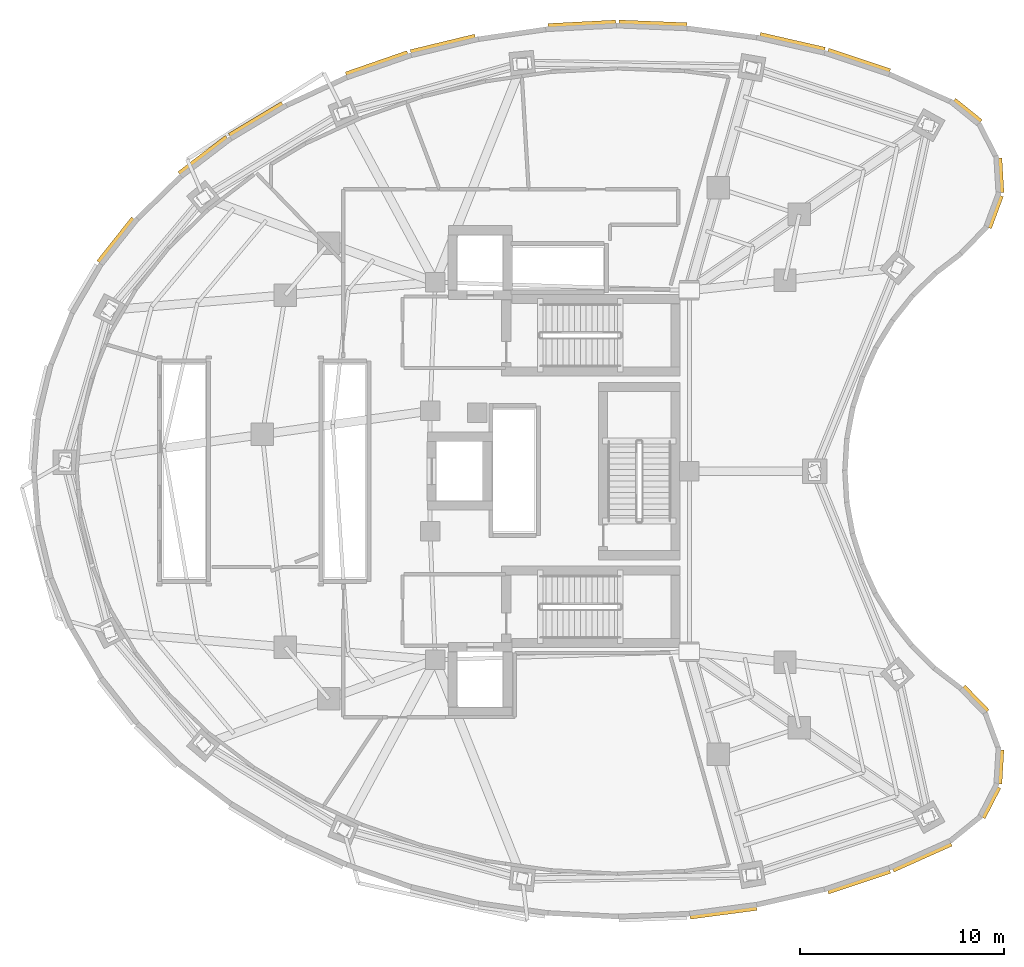
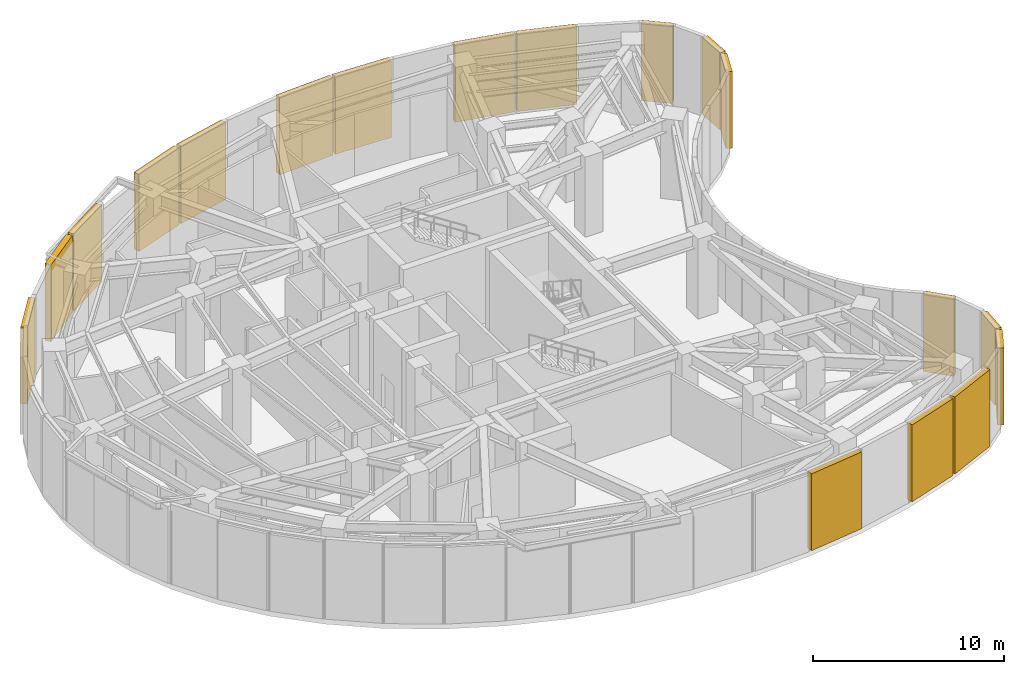
# One storey, part 10 of 10: 18 shading devices.
"""IFC4 building model written with IfcOpenShell, lengths in metres."""

from ifc_helpers import new_model, si_unit, direction, frame, origin, origin_2d, place, context, subcontext, project, spatial, rectangle, extrude, material, layer, layer_set, type_object, element, save


model = new_model("IFC4")

# Units and contexts
model_context = context("Model", 3, precision=1e-05, world=origin(), true_north=direction((0.0, 1.0)))
body_context = subcontext(model_context, "Body", "Model", "MODEL_VIEW")
ifc_project = project(units=[si_unit("LENGTHUNIT", "METRE"), si_unit("AREAUNIT", "SQUARE_METRE"), si_unit("VOLUMEUNIT", "CUBIC_METRE"), si_unit("PLANEANGLEUNIT", "RADIAN"), si_unit("MASSUNIT", "GRAM", prefix="KILO")], contexts=[model_context])

# Site, building, storey
site_placement = place(None, origin())
site = spatial("IfcSite", under=ifc_project, at=site_placement, CompositionType="ELEMENT")
building_placement = place(site_placement, origin())
building = spatial("IfcBuilding", under=site, at=building_placement, Name="Korentha Bioscience Tower", CompositionType="ELEMENT")
storey_placement = place(building_placement, frame((0.0, 0.0, 84.60009765625)))
storey = spatial("IfcBuildingStorey", under=building, at=storey_placement, Name="L19", CompositionType="ELEMENT", Elevation=84.60009765625)

# Shading devices
ifc_material = material(Name="Powder-Coated Aluminium Louvre", Category="aluminium")
ifc_layer = layer(ifc_material, 0.1201171875, Name="Powder-Coated Aluminium Louvre")
ifc_layer_set = layer_set([ifc_layer], Name="Powder-Coated Aluminium Louvre (LV-350)")
shading_device_type = type_object("IfcShadingDeviceType", Name="Acoustic Weatherproof Aluminium Plant Louvre 350", PredefinedType="USERDEFINED", material=ifc_layer_set)
shading_device_1_placement = place(storey_placement, frame((45.8408203125, 47.046875, 0.099853515625), z_axis=(0.0, 0.0, 1.0), x_axis=(-0.948951123232, 0.315423153426, 0.0)))
element("IfcShadingDevice", 1, at=shading_device_1_placement, inside=storey, type_object=shading_device_type, Name="L19 Acoustic Plant Louvre 02", ObjectType="LOUVRE", PredefinedType="USERDEFINED", context=body_context, shape_type="SweptSolid", body=[
    extrude(rectangle(XDim=3.196044921875, YDim=0.35009765625, at=origin_2d()), origin(), (0.0, 0.0, 1.0), 4.89990234375),
])
shading_device_2_placement = place(storey_placement, frame((42.585693359375, 47.956298828125, 0.099853515625), z_axis=(0.0, 0.0, 1.0), x_axis=(-0.974836875986, 0.22291941418, 0.0)))
element("IfcShadingDevice", 2, at=shading_device_2_placement, inside=storey, type_object=shading_device_type, Name="L19 Acoustic Plant Louvre 03", ObjectType="LOUVRE", PredefinedType="USERDEFINED", context=body_context, shape_type="SweptSolid", body=[
    extrude(rectangle(XDim=3.255126953125, YDim=0.35009765625, at=origin_2d()), origin(), (0.0, 0.0, 1.0), 4.89990234375),
])
shading_device_3_placement = place(storey_placement, frame((35.762939453125, 48.8583984375, 0.099853515625), z_axis=(0.0, 0.0, 1.0), x_axis=(-0.999211267714, 0.039709475861, 0.0)))
element("IfcShadingDevice", 3, at=shading_device_3_placement, inside=storey, type_object=shading_device_type, Name="L19 Acoustic Plant Louvre 05", ObjectType="LOUVRE", PredefinedType="USERDEFINED", context=body_context, shape_type="SweptSolid", body=[
    extrude(rectangle(XDim=3.315185546875, YDim=0.35009765625, at=origin_2d()), origin(), (0.0, 0.0, 1.0), 4.89990234375),
])
shading_device_4_placement = place(storey_placement, frame((32.2939453125, 48.837890625, 0.099853515625), z_axis=(0.0, 0.0, 1.0), x_axis=(-0.998674492472, -0.051470944089, 0.0)))
element("IfcShadingDevice", 4, at=shading_device_4_placement, inside=storey, type_object=shading_device_type, Name="L19 Acoustic Plant Louvre 06", ObjectType="LOUVRE", PredefinedType="USERDEFINED", context=body_context, shape_type="SweptSolid", body=[
    extrude(rectangle(XDim=3.313720703125, YDim=0.35009765625, at=origin_2d()), origin(), (0.0, 0.0, 1.0), 4.89990234375),
])
shading_device_5_placement = place(storey_placement, frame((25.490478515625, 47.855712890625, 0.099853515625), z_axis=(0.0, 0.0, 1.0), x_axis=(-0.972037887056, -0.234824074849, 0.0)))
element("IfcShadingDevice", 5, at=shading_device_5_placement, inside=storey, type_object=shading_device_type, Name="L19 Acoustic Plant Louvre 08", ObjectType="LOUVRE", PredefinedType="USERDEFINED", context=body_context, shape_type="SweptSolid", body=[
    extrude(rectangle(XDim=3.24853515625, YDim=0.35009765625, at=origin_2d()), origin(), (0.0, 0.0, 1.0), 4.89990234375),
])
shading_device_6_placement = place(storey_placement, frame((22.25439453125, 46.907958984375, 0.099853515625), z_axis=(0.0, 0.0, 1.0), x_axis=(-0.944876624777, -0.327426577953, 0.0)))
element("IfcShadingDevice", 6, at=shading_device_6_placement, inside=storey, type_object=shading_device_type, Name="L19 Acoustic Plant Louvre 09", ObjectType="LOUVRE", PredefinedType="USERDEFINED", context=body_context, shape_type="SweptSolid", body=[
    extrude(rectangle(XDim=3.187255859375, YDim=0.35009765625, at=origin_2d()), origin(), (0.0, 0.0, 1.0), 4.89990234375),
])
shading_device_7_placement = place(storey_placement, frame((16.34619140625, 44.168212890625, 0.099853515625), z_axis=(0.0, 0.0, 1.0), x_axis=(-0.857603880545, -0.514310785493, 0.0)))
element("IfcShadingDevice", 7, at=shading_device_7_placement, inside=storey, type_object=shading_device_type, Name="L19 Acoustic Plant Louvre 11", ObjectType="LOUVRE", PredefinedType="USERDEFINED", context=body_context, shape_type="SweptSolid", body=[
    extrude(rectangle(XDim=3.0205078125, YDim=0.35009765625, at=origin_2d()), origin(), (0.0, 0.0, 1.0), 4.89990234375),
])
shading_device_8_placement = place(storey_placement, frame((13.759765625, 42.41552734375, 0.099853515625), z_axis=(0.0, 0.0, 1.0), x_axis=(-0.794497761654, -0.607267080227, 0.0)))
element("IfcShadingDevice", 8, at=shading_device_8_placement, inside=storey, type_object=shading_device_type, Name="L19 Acoustic Plant Louvre 12", ObjectType="LOUVRE", PredefinedType="USERDEFINED", context=body_context, shape_type="SweptSolid", body=[
    extrude(rectangle(XDim=2.9228515625, YDim=0.35009765625, at=origin_2d()), origin(), (0.0, 0.0, 1.0), 4.89990234375),
])
shading_device_9_placement = place(storey_placement, frame((9.5078125, 38.271240234375, 0.099853515625), z_axis=(0.0, 0.0, 1.0), x_axis=(-0.620992422983, -0.783816566932, 0.0)))
element("IfcShadingDevice", 9, at=shading_device_9_placement, inside=storey, type_object=shading_device_type, Name="L19 Acoustic Plant Louvre 14", ObjectType="LOUVRE", PredefinedType="USERDEFINED", context=body_context, shape_type="SweptSolid", body=[
    extrude(rectangle(XDim=2.72412109375, YDim=0.35009765625, at=origin_2d()), origin(), (0.0, 0.0, 1.0), 4.89990234375),
])
shading_device_10_placement = place(storey_placement, frame((39.210205078125, 5.43701171875, 0.099853515625), z_axis=(0.0, 0.0, 1.0), x_axis=(0.991373135246, 0.131069854325, 0.0)))
element("IfcShadingDevice", 10, at=shading_device_10_placement, inside=storey, type_object=shading_device_type, Name="L19 Acoustic Plant Louvre 33", ObjectType="LOUVRE", PredefinedType="USERDEFINED", context=body_context, shape_type="SweptSolid", body=[
    extrude(rectangle(XDim=3.29541015625, YDim=0.35009765625, at=origin_2d()), origin(), (0.0, 0.0, 1.0), 4.89990234375),
])
shading_device_11_placement = place(storey_placement, frame((45.8408203125, 6.953125, 0.099853515625), z_axis=(0.0, 0.0, 1.0), x_axis=(0.948951123232, 0.315423153426, 0.0)))
element("IfcShadingDevice", 11, at=shading_device_11_placement, inside=storey, type_object=shading_device_type, Name="L19 Acoustic Plant Louvre 35", ObjectType="LOUVRE", PredefinedType="USERDEFINED", context=body_context, shape_type="SweptSolid", body=[
    extrude(rectangle(XDim=3.196044921875, YDim=0.35009765625, at=origin_2d()), origin(), (0.0, 0.0, 1.0), 4.89990234375),
])
shading_device_12_placement = place(storey_placement, frame((48.9287109375, 8.152099609375, 0.099853515625), z_axis=(0.0, 0.0, 1.0), x_axis=(0.912676769873, 0.408682167136, 0.0)))
element("IfcShadingDevice", 12, at=shading_device_12_placement, inside=storey, type_object=shading_device_type, Name="L19 Acoustic Plant Louvre 36", ObjectType="LOUVRE", PredefinedType="USERDEFINED", context=body_context, shape_type="SweptSolid", body=[
    extrude(rectangle(XDim=3.120849609375, YDim=0.35009765625, at=origin_2d()), origin(), (0.0, 0.0, 1.0), 4.89990234375),
])
for number, where, z_axis, x_axis, name in (
    (13, (52.264892578125, 10.786376953125, 0.099853515625), (0.0, 0.0, 1.0), (0.457632043139, 0.889141672115, 0.0), "L19 Acoustic Plant Louvre 38"),
    (14, (52.738525390625, 12.512451171875, 0.099853515625), (0.0, 0.0, 1.0), (0.060192714287, 0.99818677468, 0.0), "L19 Acoustic Plant Louvre 39"),
    (15, (51.521484375, 15.797119140625, 0.099853515625), (0.0, 0.0, 1.0), (-0.696028539739, 0.718014116762, 0.0), "L19 Acoustic Plant Louvre 41"),
    (16, (52.475830078125, 39.71728515625, 0.099853515625), (0.0, 0.0, 1.0), (0.347369301407, 0.937728408677, 0.0), "L19 Acoustic Plant Louvre 59"),
    (17, (52.738525390625, 41.487548828125, 0.099853515625), (0.0, 0.0, 1.0), (-0.060192714287, 0.99818677468, 0.0), "L19 Acoustic Plant Louvre 60"),
    (18, (51.135498046875, 44.602294921875, 0.099853515625), (0.0, 0.0, 1.0), (-0.777331040367, 0.629091768887, 0.0), "L19 Acoustic Plant Louvre 62"),
):
    element("IfcShadingDevice", number, at=place(storey_placement, frame(where, z_axis=z_axis, x_axis=x_axis)), inside=storey, type_object=shading_device_type, Name=name, ObjectType="LOUVRE", PredefinedType="USERDEFINED", context=body_context, shape_type="SweptSolid", body=[
        extrude(rectangle(XDim=1.677490234375, YDim=0.35009765625, at=origin_2d()), origin(), (0.0, 0.0, 1.0), 4.89990234375),
    ])

save(model, "model.ifc")
